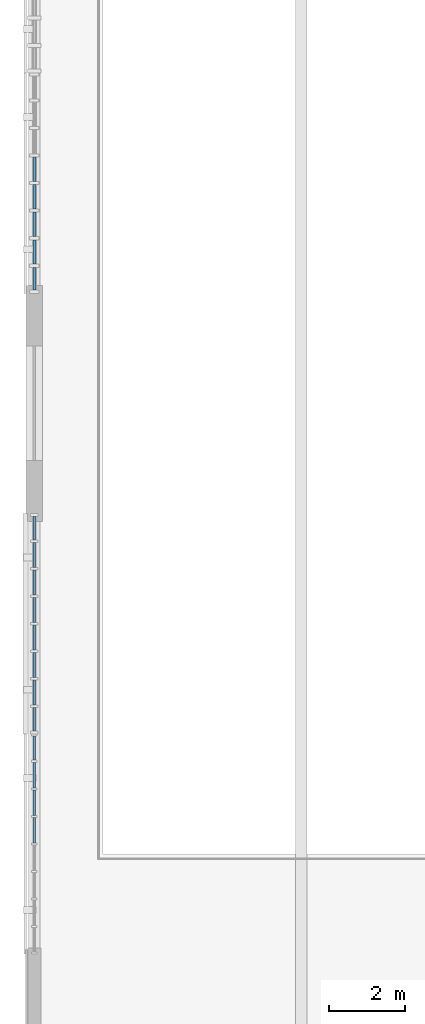
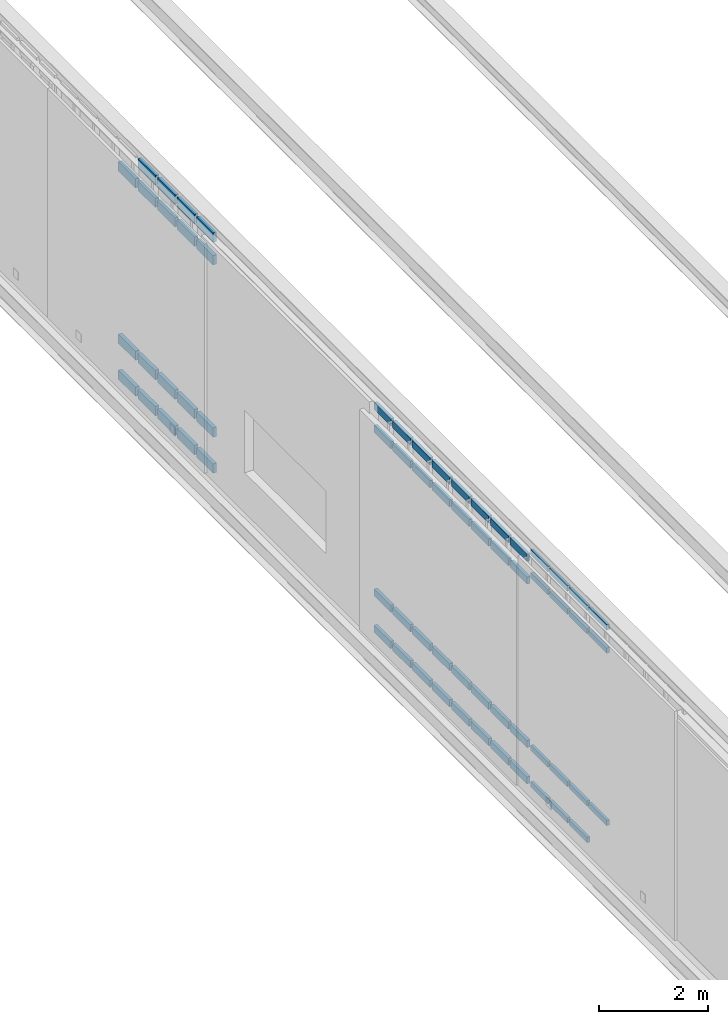
# One storey, part 47 of 135: 66 members, 3 elements without a shape of their own.
"""IFC4 building model written with IfcOpenShell, lengths in metres."""

from ifc_helpers import new_model, si_unit, direction, frame, origin, origin_2d, place, context, subcontext, project, spatial, rectangle, extrude, material, material_profile, profile_set, type_object, element, aggregate, save


model = new_model("IFC4")

# Units and contexts
model_context = context("Model", 3, precision=1e-05, world=origin(), true_north=direction((0.0, 1.0)))
body_context = subcontext(model_context, "Body", "Model", "MODEL_VIEW")
ifc_project = project(units=[si_unit("LENGTHUNIT", "METRE"), si_unit("AREAUNIT", "SQUARE_METRE"), si_unit("VOLUMEUNIT", "CUBIC_METRE"), si_unit("PLANEANGLEUNIT", "RADIAN"), si_unit("MASSUNIT", "GRAM", prefix="KILO")], contexts=[model_context])

# Site, building, storey
site_placement = place(None, origin())
site = spatial("IfcSite", under=ifc_project, at=site_placement, CompositionType="ELEMENT")
building_placement = place(site_placement, origin())
building = spatial("IfcBuilding", under=site, at=building_placement, Name="Larkvane Passage Sports Hall", CompositionType="ELEMENT")
storey_placement = place(building_placement, frame((0.0, 0.0, 10.800048828125)))
storey = spatial("IfcBuildingStorey", under=building, at=storey_placement, Name="L02", CompositionType="ELEMENT", Elevation=10.800048828125)

# Curtain wall, members
ifc_material_1 = material(Name="Thermally broken aluminium and low-E glazing", Category="aluminium")
curtain_wall_type_1 = type_object("IfcCurtainWallType", Name="CW-UNIT-COURT", PredefinedType="USERDEFINED", material=ifc_material_1)
curtain_wall_1_placement = place(storey_placement, origin())
curtain_wall_1 = element("IfcCurtainWall", 1, at=curtain_wall_1_placement, inside=storey, type_object=curtain_wall_type_1, Name="Curtain wall CW5-L02-092", ObjectType="UNITISED CURTAIN WALL", PredefinedType="USERDEFINED")
ifc_material_2 = material(Name="Anodised aluminium 6063-T6", Category="aluminium")
ifc_material_profile_1 = material_profile(ifc_material_2, rectangle(XDim=0.06005859375, YDim=0.1201171875, at=origin_2d()), Name="ALU-TRN-60x120")
ifc_profile_set_1 = profile_set([ifc_material_profile_1], Name="Anodised aluminium 6063-T6")
member_type_1 = type_object("IfcMemberType", Name="CW-TRN-60x120", PredefinedType="USERDEFINED", material=ifc_profile_set_1)
member_1_placement = place(storey_placement, frame((13.800048828125, 48.296630859375, 0.849853515625), z_axis=(0.0, 1.0, 0.0), x_axis=(-1.0, 0.0, 0.0)))
member_1 = element("IfcMember", 2, at=member_1_placement, type_object=member_type_1, Name="CW-01 transom 5.2", ObjectType="TRANSOM", PredefinedType="USERDEFINED", context=body_context, shape_type="SweptSolid", body=[
    extrude(rectangle(XDim=0.06005859375, YDim=0.1201171875, at=origin_2d()), origin(), (0.0, 0.0, 1.0), 0.662353515625),
])
member_2_placement = place(storey_placement, frame((13.800048828125, 48.296630859375, 4.72802734375), z_axis=(0.0, 1.0, 0.0), x_axis=(-1.0, 0.0, 0.0)))
member_2 = element("IfcMember", 3, at=member_2_placement, type_object=member_type_1, Name="CW-01 transom 5.3", ObjectType="TRANSOM", PredefinedType="USERDEFINED", context=body_context, shape_type="SweptSolid", body=[
    extrude(rectangle(XDim=0.06005859375, YDim=0.1201171875, at=origin_2d()), origin(), (0.0, 0.0, 1.0), 0.662353515625),
])
member_3_placement = place(storey_placement, frame((13.800048828125, 48.296630859375, 5.248046875), z_axis=(0.0, 1.0, 0.0), x_axis=(-1.0, 0.0, 0.0)))
member_3 = element("IfcMember", 4, at=member_3_placement, type_object=member_type_1, Name="CW-01 transom 5.4", ObjectType="TRANSOM", PredefinedType="USERDEFINED", context=body_context, shape_type="SweptSolid", body=[
    extrude(rectangle(XDim=0.06005859375, YDim=0.1201171875, at=origin_2d()), origin(), (0.0, 0.0, 1.0), 0.662353515625),
])
member_4_placement = place(storey_placement, frame((13.800048828125, 49.01904296875, 0.030029296875), z_axis=(0.0, 1.0, 0.0), x_axis=(-1.0, 0.0, 0.0)))
member_4 = element("IfcMember", 5, at=member_4_placement, type_object=member_type_1, Name="CW-01 transom 6.1", ObjectType="TRANSOM", PredefinedType="USERDEFINED", context=body_context, shape_type="SweptSolid", body=[
    extrude(rectangle(XDim=0.06005859375, YDim=0.1201171875, at=origin_2d()), origin(), (0.0, 0.0, 1.0), 0.662109375),
])
member_5_placement = place(storey_placement, frame((13.800048828125, 49.01904296875, 0.849853515625), z_axis=(0.0, 1.0, 0.0), x_axis=(-1.0, 0.0, 0.0)))
member_5 = element("IfcMember", 6, at=member_5_placement, type_object=member_type_1, Name="CW-01 transom 6.2", ObjectType="TRANSOM", PredefinedType="USERDEFINED", context=body_context, shape_type="SweptSolid", body=[
    extrude(rectangle(XDim=0.06005859375, YDim=0.1201171875, at=origin_2d()), origin(), (0.0, 0.0, 1.0), 0.662109375),
])
member_6_placement = place(storey_placement, frame((13.800048828125, 49.01904296875, 4.72802734375), z_axis=(0.0, 1.0, 0.0), x_axis=(-1.0, 0.0, 0.0)))
member_6 = element("IfcMember", 7, at=member_6_placement, type_object=member_type_1, Name="CW-01 transom 6.3", ObjectType="TRANSOM", PredefinedType="USERDEFINED", context=body_context, shape_type="SweptSolid", body=[
    extrude(rectangle(XDim=0.06005859375, YDim=0.1201171875, at=origin_2d()), origin(), (0.0, 0.0, 1.0), 0.662109375),
])
member_7_placement = place(storey_placement, frame((13.800048828125, 49.01904296875, 5.248046875), z_axis=(0.0, 1.0, 0.0), x_axis=(-1.0, 0.0, 0.0)))
member_7 = element("IfcMember", 8, at=member_7_placement, type_object=member_type_1, Name="CW-01 transom 6.4", ObjectType="TRANSOM", PredefinedType="USERDEFINED", context=body_context, shape_type="SweptSolid", body=[
    extrude(rectangle(XDim=0.06005859375, YDim=0.1201171875, at=origin_2d()), origin(), (0.0, 0.0, 1.0), 0.662109375),
])
member_8_placement = place(storey_placement, frame((13.800048828125, 49.7412109375, 0.030029296875), z_axis=(0.0, 1.0, 0.0), x_axis=(-1.0, 0.0, 0.0)))
member_8 = element("IfcMember", 9, at=member_8_placement, type_object=member_type_1, Name="CW-01 transom 7.1", ObjectType="TRANSOM", PredefinedType="USERDEFINED", context=body_context, shape_type="SweptSolid", body=[
    extrude(rectangle(XDim=0.06005859375, YDim=0.1201171875, at=origin_2d()), origin(), (0.0, 0.0, 1.0), 0.662109375),
])
member_9_placement = place(storey_placement, frame((13.800048828125, 49.7412109375, 0.849853515625), z_axis=(0.0, 1.0, 0.0), x_axis=(-1.0, 0.0, 0.0)))
member_9 = element("IfcMember", 10, at=member_9_placement, type_object=member_type_1, Name="CW-01 transom 7.2", ObjectType="TRANSOM", PredefinedType="USERDEFINED", context=body_context, shape_type="SweptSolid", body=[
    extrude(rectangle(XDim=0.06005859375, YDim=0.1201171875, at=origin_2d()), origin(), (0.0, 0.0, 1.0), 0.662109375),
])
member_10_placement = place(storey_placement, frame((13.800048828125, 49.7412109375, 4.72802734375), z_axis=(0.0, 1.0, 0.0), x_axis=(-1.0, 0.0, 0.0)))
member_10 = element("IfcMember", 11, at=member_10_placement, type_object=member_type_1, Name="CW-01 transom 7.3", ObjectType="TRANSOM", PredefinedType="USERDEFINED", context=body_context, shape_type="SweptSolid", body=[
    extrude(rectangle(XDim=0.06005859375, YDim=0.1201171875, at=origin_2d()), origin(), (0.0, 0.0, 1.0), 0.662109375),
])
member_11_placement = place(storey_placement, frame((13.800048828125, 49.7412109375, 5.248046875), z_axis=(0.0, 1.0, 0.0), x_axis=(-1.0, 0.0, 0.0)))
member_11 = element("IfcMember", 12, at=member_11_placement, type_object=member_type_1, Name="CW-01 transom 7.4", ObjectType="TRANSOM", PredefinedType="USERDEFINED", context=body_context, shape_type="SweptSolid", body=[
    extrude(rectangle(XDim=0.06005859375, YDim=0.1201171875, at=origin_2d()), origin(), (0.0, 0.0, 1.0), 0.662109375),
])
member_12_placement = place(storey_placement, frame((13.800048828125, 50.46337890625, 0.030029296875), z_axis=(0.0, 1.0, 0.0), x_axis=(-1.0, 0.0, 0.0)))
member_12 = element("IfcMember", 13, at=member_12_placement, type_object=member_type_1, Name="CW-01 transom 8.1", ObjectType="TRANSOM", PredefinedType="USERDEFINED", context=body_context, shape_type="SweptSolid", body=[
    extrude(rectangle(XDim=0.06005859375, YDim=0.1201171875, at=origin_2d()), origin(), (0.0, 0.0, 1.0), 0.63232421875),
])
member_13_placement = place(storey_placement, frame((13.800048828125, 50.46337890625, 0.849853515625), z_axis=(0.0, 1.0, 0.0), x_axis=(-1.0, 0.0, 0.0)))
member_13 = element("IfcMember", 14, at=member_13_placement, type_object=member_type_1, Name="CW-01 transom 8.2", ObjectType="TRANSOM", PredefinedType="USERDEFINED", context=body_context, shape_type="SweptSolid", body=[
    extrude(rectangle(XDim=0.06005859375, YDim=0.1201171875, at=origin_2d()), origin(), (0.0, 0.0, 1.0), 0.63232421875),
])
member_14_placement = place(storey_placement, frame((13.800048828125, 50.46337890625, 4.72802734375), z_axis=(0.0, 1.0, 0.0), x_axis=(-1.0, 0.0, 0.0)))
member_14 = element("IfcMember", 15, at=member_14_placement, type_object=member_type_1, Name="CW-01 transom 8.3", ObjectType="TRANSOM", PredefinedType="USERDEFINED", context=body_context, shape_type="SweptSolid", body=[
    extrude(rectangle(XDim=0.06005859375, YDim=0.1201171875, at=origin_2d()), origin(), (0.0, 0.0, 1.0), 0.63232421875),
])
member_15_placement = place(storey_placement, frame((13.800048828125, 50.46337890625, 5.248046875), z_axis=(0.0, 1.0, 0.0), x_axis=(-1.0, 0.0, 0.0)))
member_15 = element("IfcMember", 16, at=member_15_placement, type_object=member_type_1, Name="CW-01 transom 8.4", ObjectType="TRANSOM", PredefinedType="USERDEFINED", context=body_context, shape_type="SweptSolid", body=[
    extrude(rectangle(XDim=0.06005859375, YDim=0.1201171875, at=origin_2d()), origin(), (0.0, 0.0, 1.0), 0.63232421875),
])
aggregate(curtain_wall_1, [member_1, member_2, member_3, member_4, member_5, member_6, member_7, member_8, member_9, member_10, member_11, member_12, member_13, member_14, member_15])

curtain_wall_type_2 = type_object("IfcCurtainWallType", Name="CW-UNIT-VEIL", PredefinedType="USERDEFINED", material=ifc_material_1)
curtain_wall_2_placement = place(storey_placement, origin())
curtain_wall_2 = element("IfcCurtainWall", 17, at=curtain_wall_2_placement, inside=storey, type_object=curtain_wall_type_2, Name="Curtain wall CW5-L02-093", ObjectType="UNITISED CURTAIN WALL", PredefinedType="USERDEFINED")
ifc_material_profile_2 = material_profile(ifc_material_2, rectangle(XDim=0.070068359375, YDim=0.159912109375, at=origin_2d()), Name="ALU-TRN-70x160")
ifc_profile_set_2 = profile_set([ifc_material_profile_2], Name="Anodised aluminium 6063-T6")
member_type_2 = type_object("IfcMemberType", Name="CW-TRN-70x160", PredefinedType="USERDEFINED", material=ifc_profile_set_2)
member_16_placement = place(storey_placement, frame((13.800048828125, 51.2255859375, 0.034912109375), z_axis=(0.0, 1.0, 0.0), x_axis=(-1.0, 0.0, 0.0)))
member_16 = element("IfcMember", 18, at=member_16_placement, type_object=member_type_2, Name="CW-02 transom 1.1", ObjectType="TRANSOM", PredefinedType="USERDEFINED", context=body_context, shape_type="SweptSolid", body=[
    extrude(rectangle(XDim=0.070068359375, YDim=0.159912109375, at=origin_2d()), origin(), (0.0, 0.0, 1.0), 0.6171875),
])
member_17_placement = place(storey_placement, frame((13.800048828125, 51.2255859375, 0.849853515625), z_axis=(0.0, 1.0, 0.0), x_axis=(-1.0, 0.0, 0.0)))
member_17 = element("IfcMember", 19, at=member_17_placement, type_object=member_type_2, Name="CW-02 transom 1.2", ObjectType="TRANSOM", PredefinedType="USERDEFINED", context=body_context, shape_type="SweptSolid", body=[
    extrude(rectangle(XDim=0.070068359375, YDim=0.159912109375, at=origin_2d()), origin(), (0.0, 0.0, 1.0), 0.6171875),
])
member_18_placement = place(storey_placement, frame((13.800048828125, 51.2255859375, 4.530029296875), z_axis=(0.0, 1.0, 0.0), x_axis=(-1.0, 0.0, 0.0)))
member_18 = element("IfcMember", 20, at=member_18_placement, type_object=member_type_2, Name="CW-02 transom 1.3", ObjectType="TRANSOM", PredefinedType="USERDEFINED", context=body_context, shape_type="SweptSolid", body=[
    extrude(rectangle(XDim=0.070068359375, YDim=0.159912109375, at=origin_2d()), origin(), (0.0, 0.0, 1.0), 0.6171875),
])
member_19_placement = place(storey_placement, frame((13.800048828125, 51.2255859375, 5.044921875), z_axis=(0.0, 1.0, 0.0), x_axis=(-1.0, 0.0, 0.0)))
member_19 = element("IfcMember", 21, at=member_19_placement, type_object=member_type_2, Name="CW-02 transom 1.4", ObjectType="TRANSOM", PredefinedType="USERDEFINED", context=body_context, shape_type="SweptSolid", body=[
    extrude(rectangle(XDim=0.070068359375, YDim=0.159912109375, at=origin_2d()), origin(), (0.0, 0.0, 1.0), 0.6171875),
])
member_20_placement = place(storey_placement, frame((13.800048828125, 51.912841796875, 0.034912109375), z_axis=(0.0, 1.0, 0.0), x_axis=(-1.0, 0.0, 0.0)))
member_20 = element("IfcMember", 22, at=member_20_placement, type_object=member_type_2, Name="CW-02 transom 2.1", ObjectType="TRANSOM", PredefinedType="USERDEFINED", context=body_context, shape_type="SweptSolid", body=[
    extrude(rectangle(XDim=0.070068359375, YDim=0.159912109375, at=origin_2d()), origin(), (0.0, 0.0, 1.0), 0.652099609375),
])
member_21_placement = place(storey_placement, frame((13.800048828125, 51.912841796875, 0.849853515625), z_axis=(0.0, 1.0, 0.0), x_axis=(-1.0, 0.0, 0.0)))
member_21 = element("IfcMember", 23, at=member_21_placement, type_object=member_type_2, Name="CW-02 transom 2.2", ObjectType="TRANSOM", PredefinedType="USERDEFINED", context=body_context, shape_type="SweptSolid", body=[
    extrude(rectangle(XDim=0.070068359375, YDim=0.159912109375, at=origin_2d()), origin(), (0.0, 0.0, 1.0), 0.652099609375),
])
member_22_placement = place(storey_placement, frame((13.800048828125, 51.912841796875, 4.530029296875), z_axis=(0.0, 1.0, 0.0), x_axis=(-1.0, 0.0, 0.0)))
member_22 = element("IfcMember", 24, at=member_22_placement, type_object=member_type_2, Name="CW-02 transom 2.3", ObjectType="TRANSOM", PredefinedType="USERDEFINED", context=body_context, shape_type="SweptSolid", body=[
    extrude(rectangle(XDim=0.070068359375, YDim=0.159912109375, at=origin_2d()), origin(), (0.0, 0.0, 1.0), 0.652099609375),
])
member_23_placement = place(storey_placement, frame((13.800048828125, 51.912841796875, 5.044921875), z_axis=(0.0, 1.0, 0.0), x_axis=(-1.0, 0.0, 0.0)))
member_23 = element("IfcMember", 25, at=member_23_placement, type_object=member_type_2, Name="CW-02 transom 2.4", ObjectType="TRANSOM", PredefinedType="USERDEFINED", context=body_context, shape_type="SweptSolid", body=[
    extrude(rectangle(XDim=0.070068359375, YDim=0.159912109375, at=origin_2d()), origin(), (0.0, 0.0, 1.0), 0.652099609375),
])
member_24_placement = place(storey_placement, frame((13.800048828125, 52.635009765625, 0.034912109375), z_axis=(0.0, 1.0, 0.0), x_axis=(-1.0, 0.0, 0.0)))
member_24 = element("IfcMember", 26, at=member_24_placement, type_object=member_type_2, Name="CW-02 transom 3.1", ObjectType="TRANSOM", PredefinedType="USERDEFINED", context=body_context, shape_type="SweptSolid", body=[
    extrude(rectangle(XDim=0.070068359375, YDim=0.159912109375, at=origin_2d()), origin(), (0.0, 0.0, 1.0), 0.65234375),
])
member_25_placement = place(storey_placement, frame((13.800048828125, 52.635009765625, 0.849853515625), z_axis=(0.0, 1.0, 0.0), x_axis=(-1.0, 0.0, 0.0)))
member_25 = element("IfcMember", 27, at=member_25_placement, type_object=member_type_2, Name="CW-02 transom 3.2", ObjectType="TRANSOM", PredefinedType="USERDEFINED", context=body_context, shape_type="SweptSolid", body=[
    extrude(rectangle(XDim=0.070068359375, YDim=0.159912109375, at=origin_2d()), origin(), (0.0, 0.0, 1.0), 0.65234375),
])
member_26_placement = place(storey_placement, frame((13.800048828125, 52.635009765625, 4.530029296875), z_axis=(0.0, 1.0, 0.0), x_axis=(-1.0, 0.0, 0.0)))
member_26 = element("IfcMember", 28, at=member_26_placement, type_object=member_type_2, Name="CW-02 transom 3.3", ObjectType="TRANSOM", PredefinedType="USERDEFINED", context=body_context, shape_type="SweptSolid", body=[
    extrude(rectangle(XDim=0.070068359375, YDim=0.159912109375, at=origin_2d()), origin(), (0.0, 0.0, 1.0), 0.65234375),
])
member_27_placement = place(storey_placement, frame((13.800048828125, 52.635009765625, 5.044921875), z_axis=(0.0, 1.0, 0.0), x_axis=(-1.0, 0.0, 0.0)))
member_27 = element("IfcMember", 29, at=member_27_placement, type_object=member_type_2, Name="CW-02 transom 3.4", ObjectType="TRANSOM", PredefinedType="USERDEFINED", context=body_context, shape_type="SweptSolid", body=[
    extrude(rectangle(XDim=0.070068359375, YDim=0.159912109375, at=origin_2d()), origin(), (0.0, 0.0, 1.0), 0.65234375),
])
member_28_placement = place(storey_placement, frame((13.800048828125, 53.357177734375, 0.034912109375), z_axis=(0.0, 1.0, 0.0), x_axis=(-1.0, 0.0, 0.0)))
member_28 = element("IfcMember", 30, at=member_28_placement, type_object=member_type_2, Name="CW-02 transom 4.1", ObjectType="TRANSOM", PredefinedType="USERDEFINED", context=body_context, shape_type="SweptSolid", body=[
    extrude(rectangle(XDim=0.070068359375, YDim=0.159912109375, at=origin_2d()), origin(), (0.0, 0.0, 1.0), 0.65234375),
])
member_29_placement = place(storey_placement, frame((13.800048828125, 53.357177734375, 0.849853515625), z_axis=(0.0, 1.0, 0.0), x_axis=(-1.0, 0.0, 0.0)))
member_29 = element("IfcMember", 31, at=member_29_placement, type_object=member_type_2, Name="CW-02 transom 4.2", ObjectType="TRANSOM", PredefinedType="USERDEFINED", context=body_context, shape_type="SweptSolid", body=[
    extrude(rectangle(XDim=0.070068359375, YDim=0.159912109375, at=origin_2d()), origin(), (0.0, 0.0, 1.0), 0.65234375),
])
member_30_placement = place(storey_placement, frame((13.800048828125, 53.357177734375, 4.530029296875), z_axis=(0.0, 1.0, 0.0), x_axis=(-1.0, 0.0, 0.0)))
member_30 = element("IfcMember", 32, at=member_30_placement, type_object=member_type_2, Name="CW-02 transom 4.3", ObjectType="TRANSOM", PredefinedType="USERDEFINED", context=body_context, shape_type="SweptSolid", body=[
    extrude(rectangle(XDim=0.070068359375, YDim=0.159912109375, at=origin_2d()), origin(), (0.0, 0.0, 1.0), 0.65234375),
])
member_31_placement = place(storey_placement, frame((13.800048828125, 53.357177734375, 5.044921875), z_axis=(0.0, 1.0, 0.0), x_axis=(-1.0, 0.0, 0.0)))
member_31 = element("IfcMember", 33, at=member_31_placement, type_object=member_type_2, Name="CW-02 transom 4.4", ObjectType="TRANSOM", PredefinedType="USERDEFINED", context=body_context, shape_type="SweptSolid", body=[
    extrude(rectangle(XDim=0.070068359375, YDim=0.159912109375, at=origin_2d()), origin(), (0.0, 0.0, 1.0), 0.65234375),
])
member_32_placement = place(storey_placement, frame((13.800048828125, 54.079345703125, 0.034912109375), z_axis=(0.0, 1.0, 0.0), x_axis=(-1.0, 0.0, 0.0)))
member_32 = element("IfcMember", 34, at=member_32_placement, type_object=member_type_2, Name="CW-02 transom 5.1", ObjectType="TRANSOM", PredefinedType="USERDEFINED", context=body_context, shape_type="SweptSolid", body=[
    extrude(rectangle(XDim=0.070068359375, YDim=0.159912109375, at=origin_2d()), origin(), (0.0, 0.0, 1.0), 0.65234375),
])
member_33_placement = place(storey_placement, frame((13.800048828125, 54.079345703125, 0.849853515625), z_axis=(0.0, 1.0, 0.0), x_axis=(-1.0, 0.0, 0.0)))
member_33 = element("IfcMember", 35, at=member_33_placement, type_object=member_type_2, Name="CW-02 transom 5.2", ObjectType="TRANSOM", PredefinedType="USERDEFINED", context=body_context, shape_type="SweptSolid", body=[
    extrude(rectangle(XDim=0.070068359375, YDim=0.159912109375, at=origin_2d()), origin(), (0.0, 0.0, 1.0), 0.65234375),
])
member_34_placement = place(storey_placement, frame((13.800048828125, 54.079345703125, 4.530029296875), z_axis=(0.0, 1.0, 0.0), x_axis=(-1.0, 0.0, 0.0)))
member_34 = element("IfcMember", 36, at=member_34_placement, type_object=member_type_2, Name="CW-02 transom 5.3", ObjectType="TRANSOM", PredefinedType="USERDEFINED", context=body_context, shape_type="SweptSolid", body=[
    extrude(rectangle(XDim=0.070068359375, YDim=0.159912109375, at=origin_2d()), origin(), (0.0, 0.0, 1.0), 0.65234375),
])
member_35_placement = place(storey_placement, frame((13.800048828125, 54.079345703125, 5.044921875), z_axis=(0.0, 1.0, 0.0), x_axis=(-1.0, 0.0, 0.0)))
member_35 = element("IfcMember", 37, at=member_35_placement, type_object=member_type_2, Name="CW-02 transom 5.4", ObjectType="TRANSOM", PredefinedType="USERDEFINED", context=body_context, shape_type="SweptSolid", body=[
    extrude(rectangle(XDim=0.070068359375, YDim=0.159912109375, at=origin_2d()), origin(), (0.0, 0.0, 1.0), 0.65234375),
])
member_36_placement = place(storey_placement, frame((13.800048828125, 54.8017578125, 0.034912109375), z_axis=(0.0, 1.0, 0.0), x_axis=(-1.0, 0.0, 0.0)))
member_36 = element("IfcMember", 38, at=member_36_placement, type_object=member_type_2, Name="CW-02 transom 6.1", ObjectType="TRANSOM", PredefinedType="USERDEFINED", context=body_context, shape_type="SweptSolid", body=[
    extrude(rectangle(XDim=0.070068359375, YDim=0.159912109375, at=origin_2d()), origin(), (0.0, 0.0, 1.0), 0.652099609375),
])
member_37_placement = place(storey_placement, frame((13.800048828125, 54.8017578125, 0.849853515625), z_axis=(0.0, 1.0, 0.0), x_axis=(-1.0, 0.0, 0.0)))
member_37 = element("IfcMember", 39, at=member_37_placement, type_object=member_type_2, Name="CW-02 transom 6.2", ObjectType="TRANSOM", PredefinedType="USERDEFINED", context=body_context, shape_type="SweptSolid", body=[
    extrude(rectangle(XDim=0.070068359375, YDim=0.159912109375, at=origin_2d()), origin(), (0.0, 0.0, 1.0), 0.652099609375),
])
member_38_placement = place(storey_placement, frame((13.800048828125, 54.8017578125, 4.530029296875), z_axis=(0.0, 1.0, 0.0), x_axis=(-1.0, 0.0, 0.0)))
member_38 = element("IfcMember", 40, at=member_38_placement, type_object=member_type_2, Name="CW-02 transom 6.3", ObjectType="TRANSOM", PredefinedType="USERDEFINED", context=body_context, shape_type="SweptSolid", body=[
    extrude(rectangle(XDim=0.070068359375, YDim=0.159912109375, at=origin_2d()), origin(), (0.0, 0.0, 1.0), 0.652099609375),
])
member_39_placement = place(storey_placement, frame((13.800048828125, 54.8017578125, 5.044921875), z_axis=(0.0, 1.0, 0.0), x_axis=(-1.0, 0.0, 0.0)))
member_39 = element("IfcMember", 41, at=member_39_placement, type_object=member_type_2, Name="CW-02 transom 6.4", ObjectType="TRANSOM", PredefinedType="USERDEFINED", context=body_context, shape_type="SweptSolid", body=[
    extrude(rectangle(XDim=0.070068359375, YDim=0.159912109375, at=origin_2d()), origin(), (0.0, 0.0, 1.0), 0.652099609375),
])
member_40_placement = place(storey_placement, frame((13.800048828125, 55.52392578125, 0.034912109375), z_axis=(0.0, 1.0, 0.0), x_axis=(-1.0, 0.0, 0.0)))
member_40 = element("IfcMember", 42, at=member_40_placement, type_object=member_type_2, Name="CW-02 transom 7.1", ObjectType="TRANSOM", PredefinedType="USERDEFINED", context=body_context, shape_type="SweptSolid", body=[
    extrude(rectangle(XDim=0.070068359375, YDim=0.159912109375, at=origin_2d()), origin(), (0.0, 0.0, 1.0), 0.652099609375),
])
member_41_placement = place(storey_placement, frame((13.800048828125, 55.52392578125, 0.849853515625), z_axis=(0.0, 1.0, 0.0), x_axis=(-1.0, 0.0, 0.0)))
member_41 = element("IfcMember", 43, at=member_41_placement, type_object=member_type_2, Name="CW-02 transom 7.2", ObjectType="TRANSOM", PredefinedType="USERDEFINED", context=body_context, shape_type="SweptSolid", body=[
    extrude(rectangle(XDim=0.070068359375, YDim=0.159912109375, at=origin_2d()), origin(), (0.0, 0.0, 1.0), 0.652099609375),
])
member_42_placement = place(storey_placement, frame((13.800048828125, 55.52392578125, 4.530029296875), z_axis=(0.0, 1.0, 0.0), x_axis=(-1.0, 0.0, 0.0)))
member_42 = element("IfcMember", 44, at=member_42_placement, type_object=member_type_2, Name="CW-02 transom 7.3", ObjectType="TRANSOM", PredefinedType="USERDEFINED", context=body_context, shape_type="SweptSolid", body=[
    extrude(rectangle(XDim=0.070068359375, YDim=0.159912109375, at=origin_2d()), origin(), (0.0, 0.0, 1.0), 0.652099609375),
])
member_43_placement = place(storey_placement, frame((13.800048828125, 55.52392578125, 5.044921875), z_axis=(0.0, 1.0, 0.0), x_axis=(-1.0, 0.0, 0.0)))
member_43 = element("IfcMember", 45, at=member_43_placement, type_object=member_type_2, Name="CW-02 transom 7.4", ObjectType="TRANSOM", PredefinedType="USERDEFINED", context=body_context, shape_type="SweptSolid", body=[
    extrude(rectangle(XDim=0.070068359375, YDim=0.159912109375, at=origin_2d()), origin(), (0.0, 0.0, 1.0), 0.652099609375),
])
member_44_placement = place(storey_placement, frame((13.800048828125, 56.24609375, 0.034912109375), z_axis=(0.0, 1.0, 0.0), x_axis=(-1.0, 0.0, 0.0)))
member_44 = element("IfcMember", 46, at=member_44_placement, type_object=member_type_2, Name="CW-02 transom 8.1", ObjectType="TRANSOM", PredefinedType="USERDEFINED", context=body_context, shape_type="SweptSolid", body=[
    extrude(rectangle(XDim=0.070068359375, YDim=0.159912109375, at=origin_2d()), origin(), (0.0, 0.0, 1.0), 0.6171875),
])
member_45_placement = place(storey_placement, frame((13.800048828125, 56.24609375, 0.849853515625), z_axis=(0.0, 1.0, 0.0), x_axis=(-1.0, 0.0, 0.0)))
member_45 = element("IfcMember", 47, at=member_45_placement, type_object=member_type_2, Name="CW-02 transom 8.2", ObjectType="TRANSOM", PredefinedType="USERDEFINED", context=body_context, shape_type="SweptSolid", body=[
    extrude(rectangle(XDim=0.070068359375, YDim=0.159912109375, at=origin_2d()), origin(), (0.0, 0.0, 1.0), 0.6171875),
])
member_46_placement = place(storey_placement, frame((13.800048828125, 56.24609375, 4.530029296875), z_axis=(0.0, 1.0, 0.0), x_axis=(-1.0, 0.0, 0.0)))
member_46 = element("IfcMember", 48, at=member_46_placement, type_object=member_type_2, Name="CW-02 transom 8.3", ObjectType="TRANSOM", PredefinedType="USERDEFINED", context=body_context, shape_type="SweptSolid", body=[
    extrude(rectangle(XDim=0.070068359375, YDim=0.159912109375, at=origin_2d()), origin(), (0.0, 0.0, 1.0), 0.6171875),
])
member_47_placement = place(storey_placement, frame((13.800048828125, 56.24609375, 5.044921875), z_axis=(0.0, 1.0, 0.0), x_axis=(-1.0, 0.0, 0.0)))
member_47 = element("IfcMember", 49, at=member_47_placement, type_object=member_type_2, Name="CW-02 transom 8.4", ObjectType="TRANSOM", PredefinedType="USERDEFINED", context=body_context, shape_type="SweptSolid", body=[
    extrude(rectangle(XDim=0.070068359375, YDim=0.159912109375, at=origin_2d()), origin(), (0.0, 0.0, 1.0), 0.6171875),
])
aggregate(curtain_wall_2, [member_16, member_17, member_18, member_19, member_20, member_21, member_22, member_23, member_24, member_25, member_26, member_27, member_28, member_29, member_30, member_31, member_32, member_33, member_34, member_35, member_36, member_37, member_38, member_39, member_40, member_41, member_42, member_43, member_44, member_45, member_46, member_47])

curtain_wall_type_3 = type_object("IfcCurtainWallType", Name="CW-STICK-FOYER", PredefinedType="USERDEFINED", material=ifc_material_1)
curtain_wall_3_placement = place(storey_placement, origin())
curtain_wall_3 = element("IfcCurtainWall", 50, at=curtain_wall_3_placement, inside=storey, type_object=curtain_wall_type_3, Name="Curtain wall CW5-L02-094", ObjectType="STICK CURTAIN WALL", PredefinedType="USERDEFINED")
ifc_material_profile_3 = material_profile(ifc_material_2, rectangle(XDim=0.080078125, YDim=0.2099609375, at=origin_2d()), Name="ALU-TRN-80x210")
ifc_profile_set_3 = profile_set([ifc_material_profile_3], Name="Anodised aluminium 6063-T6")
member_type_3 = type_object("IfcMemberType", Name="CW-TRN-80x210", PredefinedType="USERDEFINED", material=ifc_profile_set_3)
member_48_placement = place(storey_placement, frame((13.800048828125, 62.791015625, 0.0400390625), z_axis=(0.0, 1.0, 0.0), x_axis=(-1.0, 0.0, 0.0)))
member_48 = element("IfcMember", 51, at=member_48_placement, type_object=member_type_3, Name="CW-03 transom 1.1", ObjectType="TRANSOM", PredefinedType="USERDEFINED", context=body_context, shape_type="SweptSolid", body=[
    extrude(rectangle(XDim=0.080078125, YDim=0.2099609375, at=origin_2d()), origin(), (0.0, 0.0, 1.0), 0.602294921875),
])
member_49_placement = place(storey_placement, frame((13.800048828125, 62.791015625, 0.849853515625), z_axis=(0.0, 1.0, 0.0), x_axis=(-1.0, 0.0, 0.0)))
member_49 = element("IfcMember", 52, at=member_49_placement, type_object=member_type_3, Name="CW-03 transom 1.2", ObjectType="TRANSOM", PredefinedType="USERDEFINED", context=body_context, shape_type="SweptSolid", body=[
    extrude(rectangle(XDim=0.080078125, YDim=0.2099609375, at=origin_2d()), origin(), (0.0, 0.0, 1.0), 0.602294921875),
])
member_50_placement = place(storey_placement, frame((13.800048828125, 62.791015625, 4.72802734375), z_axis=(0.0, 1.0, 0.0), x_axis=(-1.0, 0.0, 0.0)))
member_50 = element("IfcMember", 53, at=member_50_placement, type_object=member_type_3, Name="CW-03 transom 1.3", ObjectType="TRANSOM", PredefinedType="USERDEFINED", context=body_context, shape_type="SweptSolid", body=[
    extrude(rectangle(XDim=0.080078125, YDim=0.2099609375, at=origin_2d()), origin(), (0.0, 0.0, 1.0), 0.602294921875),
])
member_51_placement = place(storey_placement, frame((13.800048828125, 62.791015625, 5.238037109375), z_axis=(0.0, 1.0, 0.0), x_axis=(-1.0, 0.0, 0.0)))
member_51 = element("IfcMember", 54, at=member_51_placement, type_object=member_type_3, Name="CW-03 transom 1.4", ObjectType="TRANSOM", PredefinedType="USERDEFINED", context=body_context, shape_type="SweptSolid", body=[
    extrude(rectangle(XDim=0.080078125, YDim=0.2099609375, at=origin_2d()), origin(), (0.0, 0.0, 1.0), 0.602294921875),
])
member_52_placement = place(storey_placement, frame((13.800048828125, 63.473388671875, 0.0400390625), z_axis=(0.0, 1.0, 0.0), x_axis=(-1.0, 0.0, 0.0)))
member_52 = element("IfcMember", 55, at=member_52_placement, type_object=member_type_3, Name="CW-03 transom 2.1", ObjectType="TRANSOM", PredefinedType="USERDEFINED", context=body_context, shape_type="SweptSolid", body=[
    extrude(rectangle(XDim=0.080078125, YDim=0.2099609375, at=origin_2d()), origin(), (0.0, 0.0, 1.0), 0.64208984375),
])
member_53_placement = place(storey_placement, frame((13.800048828125, 63.473388671875, 0.849853515625), z_axis=(0.0, 1.0, 0.0), x_axis=(-1.0, 0.0, 0.0)))
member_53 = element("IfcMember", 56, at=member_53_placement, type_object=member_type_3, Name="CW-03 transom 2.2", ObjectType="TRANSOM", PredefinedType="USERDEFINED", context=body_context, shape_type="SweptSolid", body=[
    extrude(rectangle(XDim=0.080078125, YDim=0.2099609375, at=origin_2d()), origin(), (0.0, 0.0, 1.0), 0.64208984375),
])
member_54_placement = place(storey_placement, frame((13.800048828125, 63.473388671875, 4.72802734375), z_axis=(0.0, 1.0, 0.0), x_axis=(-1.0, 0.0, 0.0)))
member_54 = element("IfcMember", 57, at=member_54_placement, type_object=member_type_3, Name="CW-03 transom 2.3", ObjectType="TRANSOM", PredefinedType="USERDEFINED", context=body_context, shape_type="SweptSolid", body=[
    extrude(rectangle(XDim=0.080078125, YDim=0.2099609375, at=origin_2d()), origin(), (0.0, 0.0, 1.0), 0.64208984375),
])
member_55_placement = place(storey_placement, frame((13.800048828125, 63.473388671875, 5.238037109375), z_axis=(0.0, 1.0, 0.0), x_axis=(-1.0, 0.0, 0.0)))
member_55 = element("IfcMember", 58, at=member_55_placement, type_object=member_type_3, Name="CW-03 transom 2.4", ObjectType="TRANSOM", PredefinedType="USERDEFINED", context=body_context, shape_type="SweptSolid", body=[
    extrude(rectangle(XDim=0.080078125, YDim=0.2099609375, at=origin_2d()), origin(), (0.0, 0.0, 1.0), 0.64208984375),
])
member_56_placement = place(storey_placement, frame((13.800048828125, 64.195556640625, 0.0400390625), z_axis=(0.0, 1.0, 0.0), x_axis=(-1.0, 0.0, 0.0)))
member_56 = element("IfcMember", 59, at=member_56_placement, type_object=member_type_3, Name="CW-03 transom 3.1", ObjectType="TRANSOM", PredefinedType="USERDEFINED", context=body_context, shape_type="SweptSolid", body=[
    extrude(rectangle(XDim=0.080078125, YDim=0.2099609375, at=origin_2d()), origin(), (0.0, 0.0, 1.0), 0.642333984375),
])
member_57_placement = place(storey_placement, frame((13.800048828125, 64.195556640625, 0.849853515625), z_axis=(0.0, 1.0, 0.0), x_axis=(-1.0, 0.0, 0.0)))
member_57 = element("IfcMember", 60, at=member_57_placement, type_object=member_type_3, Name="CW-03 transom 3.2", ObjectType="TRANSOM", PredefinedType="USERDEFINED", context=body_context, shape_type="SweptSolid", body=[
    extrude(rectangle(XDim=0.080078125, YDim=0.2099609375, at=origin_2d()), origin(), (0.0, 0.0, 1.0), 0.642333984375),
])
member_58_placement = place(storey_placement, frame((13.800048828125, 64.195556640625, 4.72802734375), z_axis=(0.0, 1.0, 0.0), x_axis=(-1.0, 0.0, 0.0)))
member_58 = element("IfcMember", 61, at=member_58_placement, type_object=member_type_3, Name="CW-03 transom 3.3", ObjectType="TRANSOM", PredefinedType="USERDEFINED", context=body_context, shape_type="SweptSolid", body=[
    extrude(rectangle(XDim=0.080078125, YDim=0.2099609375, at=origin_2d()), origin(), (0.0, 0.0, 1.0), 0.642333984375),
])
member_59_placement = place(storey_placement, frame((13.800048828125, 64.195556640625, 5.238037109375), z_axis=(0.0, 1.0, 0.0), x_axis=(-1.0, 0.0, 0.0)))
member_59 = element("IfcMember", 62, at=member_59_placement, type_object=member_type_3, Name="CW-03 transom 3.4", ObjectType="TRANSOM", PredefinedType="USERDEFINED", context=body_context, shape_type="SweptSolid", body=[
    extrude(rectangle(XDim=0.080078125, YDim=0.2099609375, at=origin_2d()), origin(), (0.0, 0.0, 1.0), 0.642333984375),
])
member_60_placement = place(storey_placement, frame((13.800048828125, 64.917724609375, 0.0400390625), z_axis=(0.0, 1.0, 0.0), x_axis=(-1.0, 0.0, 0.0)))
member_60 = element("IfcMember", 63, at=member_60_placement, type_object=member_type_3, Name="CW-03 transom 4.1", ObjectType="TRANSOM", PredefinedType="USERDEFINED", context=body_context, shape_type="SweptSolid", body=[
    extrude(rectangle(XDim=0.080078125, YDim=0.2099609375, at=origin_2d()), origin(), (0.0, 0.0, 1.0), 0.642333984375),
])
member_61_placement = place(storey_placement, frame((13.800048828125, 64.917724609375, 0.849853515625), z_axis=(0.0, 1.0, 0.0), x_axis=(-1.0, 0.0, 0.0)))
member_61 = element("IfcMember", 64, at=member_61_placement, type_object=member_type_3, Name="CW-03 transom 4.2", ObjectType="TRANSOM", PredefinedType="USERDEFINED", context=body_context, shape_type="SweptSolid", body=[
    extrude(rectangle(XDim=0.080078125, YDim=0.2099609375, at=origin_2d()), origin(), (0.0, 0.0, 1.0), 0.642333984375),
])
member_62_placement = place(storey_placement, frame((13.800048828125, 64.917724609375, 4.72802734375), z_axis=(0.0, 1.0, 0.0), x_axis=(-1.0, 0.0, 0.0)))
member_62 = element("IfcMember", 65, at=member_62_placement, type_object=member_type_3, Name="CW-03 transom 4.3", ObjectType="TRANSOM", PredefinedType="USERDEFINED", context=body_context, shape_type="SweptSolid", body=[
    extrude(rectangle(XDim=0.080078125, YDim=0.2099609375, at=origin_2d()), origin(), (0.0, 0.0, 1.0), 0.642333984375),
])
member_63_placement = place(storey_placement, frame((13.800048828125, 64.917724609375, 5.238037109375), z_axis=(0.0, 1.0, 0.0), x_axis=(-1.0, 0.0, 0.0)))
member_63 = element("IfcMember", 66, at=member_63_placement, type_object=member_type_3, Name="CW-03 transom 4.4", ObjectType="TRANSOM", PredefinedType="USERDEFINED", context=body_context, shape_type="SweptSolid", body=[
    extrude(rectangle(XDim=0.080078125, YDim=0.2099609375, at=origin_2d()), origin(), (0.0, 0.0, 1.0), 0.642333984375),
])
member_64_placement = place(storey_placement, frame((13.800048828125, 65.639892578125, 0.0400390625), z_axis=(0.0, 1.0, 0.0), x_axis=(-1.0, 0.0, 0.0)))
member_64 = element("IfcMember", 67, at=member_64_placement, type_object=member_type_3, Name="CW-03 transom 5.1", ObjectType="TRANSOM", PredefinedType="USERDEFINED", context=body_context, shape_type="SweptSolid", body=[
    extrude(rectangle(XDim=0.080078125, YDim=0.2099609375, at=origin_2d()), origin(), (0.0, 0.0, 1.0), 0.642333984375),
])
member_65_placement = place(storey_placement, frame((13.800048828125, 65.639892578125, 0.849853515625), z_axis=(0.0, 1.0, 0.0), x_axis=(-1.0, 0.0, 0.0)))
member_65 = element("IfcMember", 68, at=member_65_placement, type_object=member_type_3, Name="CW-03 transom 5.2", ObjectType="TRANSOM", PredefinedType="USERDEFINED", context=body_context, shape_type="SweptSolid", body=[
    extrude(rectangle(XDim=0.080078125, YDim=0.2099609375, at=origin_2d()), origin(), (0.0, 0.0, 1.0), 0.642333984375),
])
member_66_placement = place(storey_placement, frame((13.800048828125, 65.639892578125, 4.72802734375), z_axis=(0.0, 1.0, 0.0), x_axis=(-1.0, 0.0, 0.0)))
member_66 = element("IfcMember", 69, at=member_66_placement, type_object=member_type_3, Name="CW-03 transom 5.3", ObjectType="TRANSOM", PredefinedType="USERDEFINED", context=body_context, shape_type="SweptSolid", body=[
    extrude(rectangle(XDim=0.080078125, YDim=0.2099609375, at=origin_2d()), origin(), (0.0, 0.0, 1.0), 0.642333984375),
])
aggregate(curtain_wall_3, [member_48, member_49, member_50, member_51, member_52, member_53, member_54, member_55, member_56, member_57, member_58, member_59, member_60, member_61, member_62, member_63, member_64, member_65, member_66])

save(model, "model.ifc")
